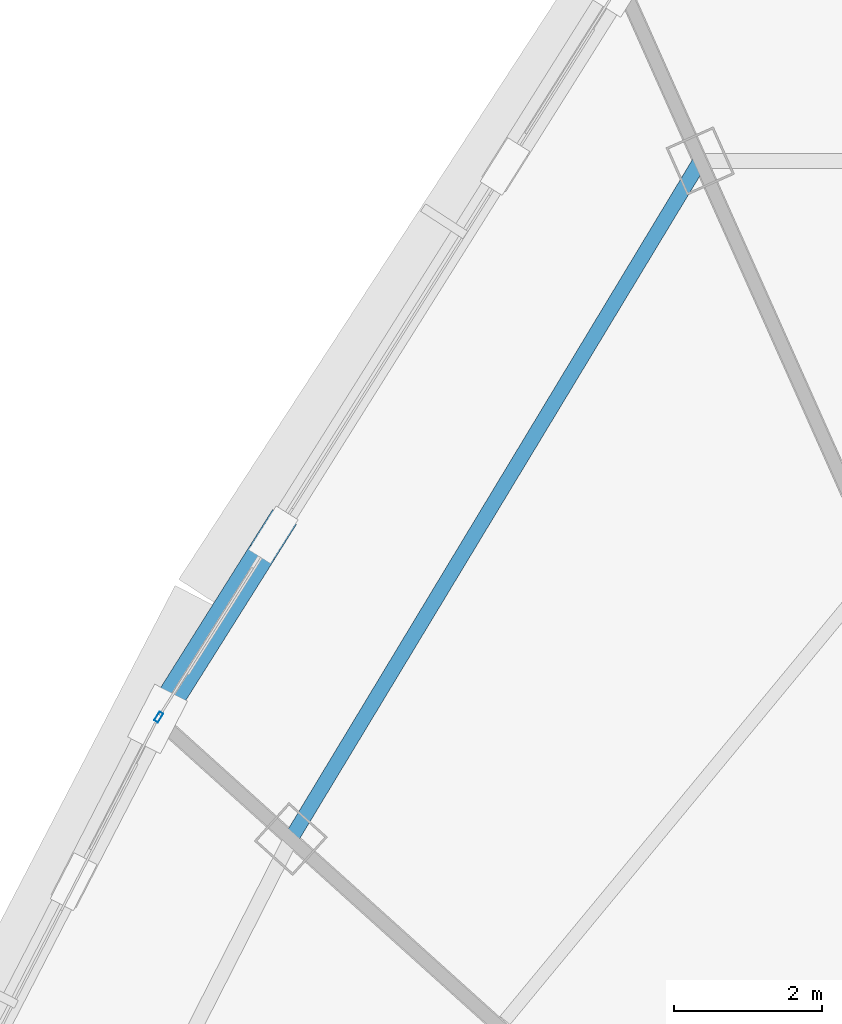
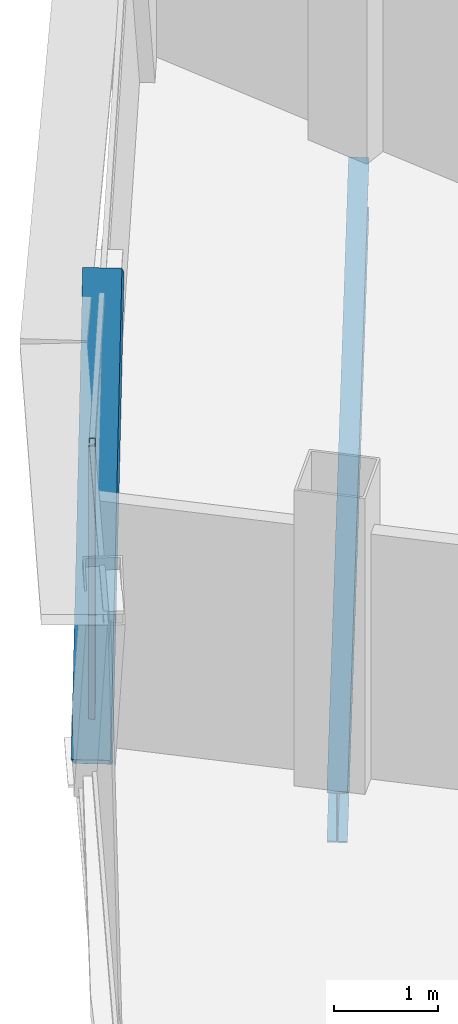
# One storey, part 9 of 30: 2 members, 1 beam, 1 element without a shape of its own.
"""IFC4 building model written with IfcOpenShell, lengths in metres."""

from ifc_helpers import new_model, si_unit, direction, frame, origin, origin_2d, place, context, subcontext, project, spatial, hollow_rectangle, i_section, extrude, source, transform, mapped, material, layer, layer_set, material_profile, profile_set, type_object, element, aggregate, save


model = new_model("IFC4")

# Units and contexts
model_context = context("Model", 3, precision=1e-05, world=origin(), true_north=direction((0.0, 1.0)))
body_context = subcontext(model_context, "Body", "Model", "MODEL_VIEW")
ifc_project = project(units=[si_unit("LENGTHUNIT", "METRE"), si_unit("AREAUNIT", "SQUARE_METRE"), si_unit("VOLUMEUNIT", "CUBIC_METRE"), si_unit("PLANEANGLEUNIT", "RADIAN"), si_unit("MASSUNIT", "GRAM", prefix="KILO"), si_unit("THERMODYNAMICTEMPERATUREUNIT", "KELVIN"), si_unit("POWERUNIT", "WATT")], contexts=[model_context])

# Site, building, storey
site_placement = place(None, origin())
site = spatial("IfcSite", under=ifc_project, at=site_placement, CompositionType="ELEMENT")
building_placement = place(site_placement, origin())
building = spatial("IfcBuilding", under=site, at=building_placement, Name="Yunzhuo Pagoda Commons", CompositionType="ELEMENT")
storey_placement = place(building_placement, frame((0.0, 0.0, 351.760009765625)))
storey = spatial("IfcBuildingStorey", under=building, at=storey_placement, Name="L88", CompositionType="ELEMENT", Elevation=351.760009765625)

# Beam
ifc_material_1 = material(Name="Structural steel Q355B", Category="steel")
ifc_material_profile_1 = material_profile(ifc_material_1, i_section(OverallWidth=0.199951171875, OverallDepth=0.60009765625, WebThickness=0.010986328125, FlangeThickness=0.01708984375, at=origin_2d()), Name="Structural steel Q355B")
ifc_profile_set_1 = profile_set([ifc_material_profile_1], Name="Structural steel Q355B")
beam_type = type_object("IfcBeamType", Name="B-RG3 Beam HN 600x200x11x17", PredefinedType="BEAM", material=ifc_profile_set_1)
shared_shape_1 = source(origin(), body_context, "Body", "SweptSolid", [
    extrude(i_section(OverallWidth=0.199951171875, OverallDepth=0.60009765625, WebThickness=0.010986328125, FlangeThickness=0.01708984375, at=origin_2d()), origin(), (0.0, 0.0, 1.0), 10.691162109375),
])
beam_placement = place(storey_placement, frame((37.501220703125, 57.281005859375, -0.56005859375), z_axis=(-0.516864678433, -0.856067114301, 0.0), x_axis=(0.856067114301, -0.516864678433, 0.0)))
element("IfcBeam", 1, at=beam_placement, inside=storey, type_object=beam_type, Name="L88 column-ring beam 9", PredefinedType="BEAM", context=body_context, shape_type="MappedRepresentation", body=[
    mapped(shared_shape_1, transform((0.0, 0.0, 0.0), scale=1.0)),
])

# Member
ifc_material_profile_2 = material_profile(ifc_material_1, hollow_rectangle(XDim=0.3798828125, YDim=0.719970703125, WallThickness=0.02001953125, at=origin_2d()), Name="Structural steel Q355B")
ifc_profile_set_2 = profile_set([ifc_material_profile_2], Name="Structural steel Q355B")
member_type_1 = type_object("IfcMemberType", Name="M-DL3 Brace BOX 720x380x20", PredefinedType="BRACE", material=ifc_profile_set_2)
shared_shape_2 = source(origin(), body_context, "Body", "SweptSolid", [
    extrude(hollow_rectangle(XDim=0.3798828125, YDim=0.719970703125, WallThickness=0.02001953125, at=origin_2d()), origin(), (0.0, 0.0, 1.0), 4.7626953125),
])
member_1_placement = place(storey_placement, frame((30.175537109375, 49.749267578125, -0.260009765625), z_axis=(0.328170512909, 0.521884409861, 0.787363179988), x_axis=(-0.846542342318, 0.532321390386, 0.0)))
element("IfcMember", 2, at=member_1_placement, inside=storey, type_object=member_type_1, Name="L88 facade diamond brace F3.1R", PredefinedType="BRACE", context=body_context, shape_type="MappedRepresentation", body=[
    mapped(shared_shape_2, transform((0.0, 0.0, 0.0), scale=1.0)),
])

# Curtain wall, member
ifc_material_2 = material(Name="Anodized aluminium 6063-T6", Category="aluminium")
ifc_layer = layer(ifc_material_2, 0.139892578125)
ifc_layer_set = layer_set([ifc_layer], Name="Anodized aluminium 6063-T6")
curtain_wall_type = type_object("IfcCurtainWallType", Name="CW-HI High-Zone Ribbon Curtain Wall", PredefinedType="NOTDEFINED", material=ifc_layer_set)
curtain_wall_placement = place(storey_placement, origin())
curtain_wall = element("IfcCurtainWall", 3, at=curtain_wall_placement, inside=storey, type_object=curtain_wall_type, Name="L88 curtain wall CW-L88-F3B2", PredefinedType="NOTDEFINED")
ifc_material_profile_3 = material_profile(ifc_material_2, hollow_rectangle(XDim=0.06005859375, YDim=0.139892578125, WallThickness=0.00341796875, at=origin_2d()), Name="Anodized aluminium 6063-T6")
ifc_profile_set_3 = profile_set([ifc_material_profile_3], Name="Anodized aluminium 6063-T6")
member_type_2 = type_object("IfcMemberType", Name="CW-HI-M Mullion RHS 140x60x3.5", PredefinedType="MULLION", material=ifc_profile_set_3)
shared_shape_3 = source(origin(), body_context, "Body", "SweptSolid", [
    extrude(hollow_rectangle(XDim=0.06005859375, YDim=0.139892578125, WallThickness=0.00341796875, at=origin_2d()), origin(), (0.0, 0.0, 1.0), 3.489990234375),
])
member_2_placement = place(storey_placement, frame((30.19140625, 49.774658203125, 0.0), z_axis=(0.0, 0.0, 1.0), x_axis=(0.846524621891, -0.532349569861, 0.0)))
member_2 = element("IfcMember", 4, at=member_2_placement, type_object=member_type_2, Name="CW mullion 2", PredefinedType="MULLION", context=body_context, shape_type="MappedRepresentation", body=[
    mapped(shared_shape_3, transform((0.0, 0.0, 0.0), scale=1.0)),
])
aggregate(curtain_wall, [member_2])

save(model, "model.ifc")
